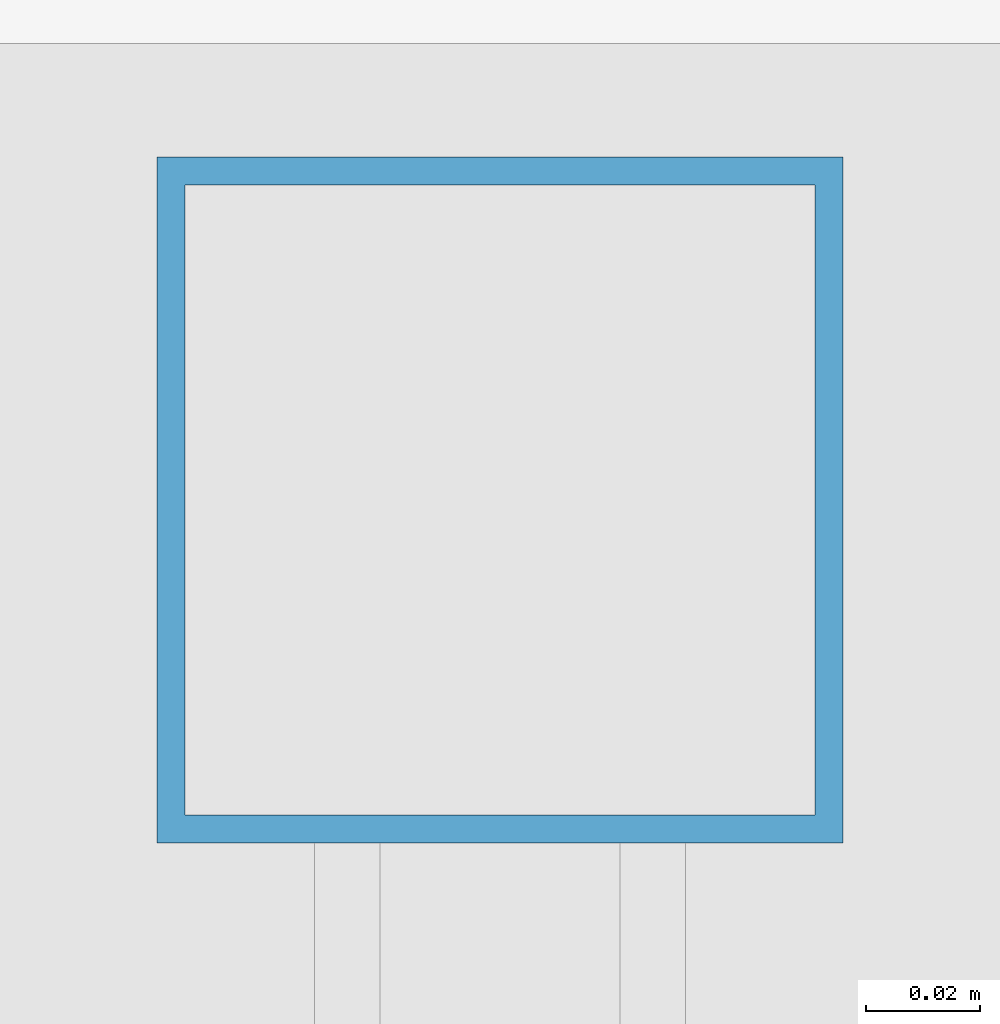
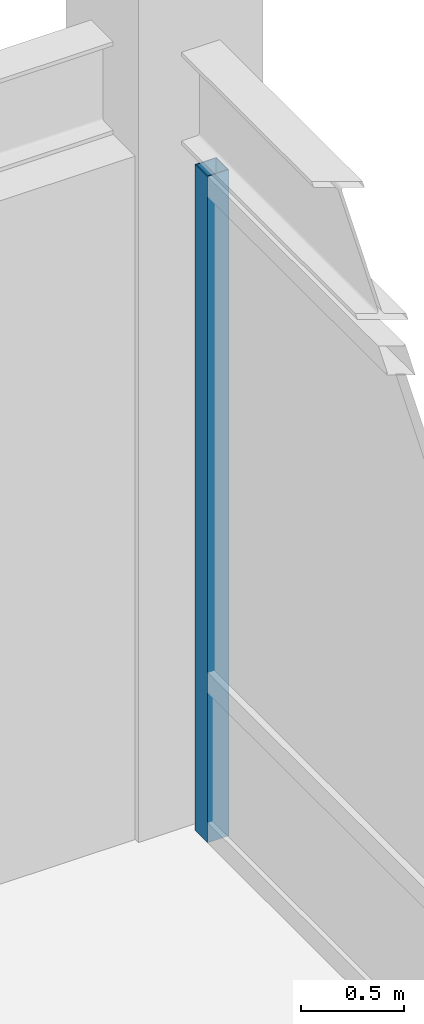
# One storey, part 20 of 29: 1 member, 1 element without a shape of its own.
"""IFC4 building model written with IfcOpenShell, lengths in metres."""

from ifc_helpers import new_model, si_unit, direction, frame, origin, origin_2d, place, context, subcontext, project, spatial, hollow_rectangle, extrude, source, transform, mapped, material, material_profile, profile_set, type_object, element, aggregate, save


model = new_model("IFC4")

# Units and contexts
model_context = context("Model", 3, precision=1e-05, world=origin(), true_north=direction((0.0, 1.0)))
body_context = subcontext(model_context, "Body", "Model", "MODEL_VIEW")
ifc_project = project(units=[si_unit("LENGTHUNIT", "METRE"), si_unit("AREAUNIT", "SQUARE_METRE"), si_unit("VOLUMEUNIT", "CUBIC_METRE"), si_unit("PLANEANGLEUNIT", "RADIAN"), si_unit("MASSUNIT", "GRAM", prefix="KILO")], contexts=[model_context])

# Site, building, storey
site_placement = place(None, origin())
site = spatial("IfcSite", under=ifc_project, at=site_placement, CompositionType="ELEMENT")
building_placement = place(site_placement, origin())
building = spatial("IfcBuilding", under=site, at=building_placement, Name="Khorayat Bourse Tower", CompositionType="ELEMENT")
storey_placement = place(building_placement, frame((0.0, 0.0, 370.300048828125)))
storey = spatial("IfcBuildingStorey", under=building, at=storey_placement, Name="L88", CompositionType="ELEMENT", Elevation=370.300048828125)

# Curtain wall, member
ifc_material = material(Name="Aluminium EN AW-6063 T6", Category="aluminium")
curtain_wall_type = type_object("IfcCurtainWallType", Name="CW-SYS-04", PredefinedType="NOTDEFINED", material=ifc_material)
curtain_wall_placement = place(storey_placement, origin())
curtain_wall = element("IfcCurtainWall", 1, at=curtain_wall_placement, inside=storey, type_object=curtain_wall_type, Name="L88 Curtain Wall CW-L88-E1", PredefinedType="NOTDEFINED")
ifc_material_profile = material_profile(ifc_material, hollow_rectangle(XDim=0.1201171875, YDim=0.1201171875, WallThickness=0.0048828125, at=origin_2d()), Name="ALU 120x120x5")
ifc_profile_set = profile_set([ifc_material_profile], Name="Aluminium EN AW-6063 T6")
member_type = type_object("IfcMemberType", Name="CWM-VERT-120", PredefinedType="MULLION", material=ifc_profile_set)
shared_shape = source(origin(), body_context, "Body", "SweptSolid", [
    extrude(hollow_rectangle(XDim=0.1201171875, YDim=0.1201171875, WallThickness=0.0048828125, at=origin_2d()), origin(), (0.0, 0.0, 1.0), 3.949951171875),
])
member_placement = place(storey_placement, frame((26.0, 19.5400390625, 0.0), z_axis=(0.0, 0.0, 1.0), x_axis=(-1.0, 0.0, 0.0)))
member = element("IfcMember", 2, at=member_placement, type_object=member_type, Name="CW-L88-E1 Vertical Mullion 3", PredefinedType="MULLION", context=body_context, shape_type="MappedRepresentation", body=[
    mapped(shared_shape, transform((0.0, 0.0, 0.0), scale=1.0)),
])
aggregate(curtain_wall, [member])

save(model, "model.ifc")
